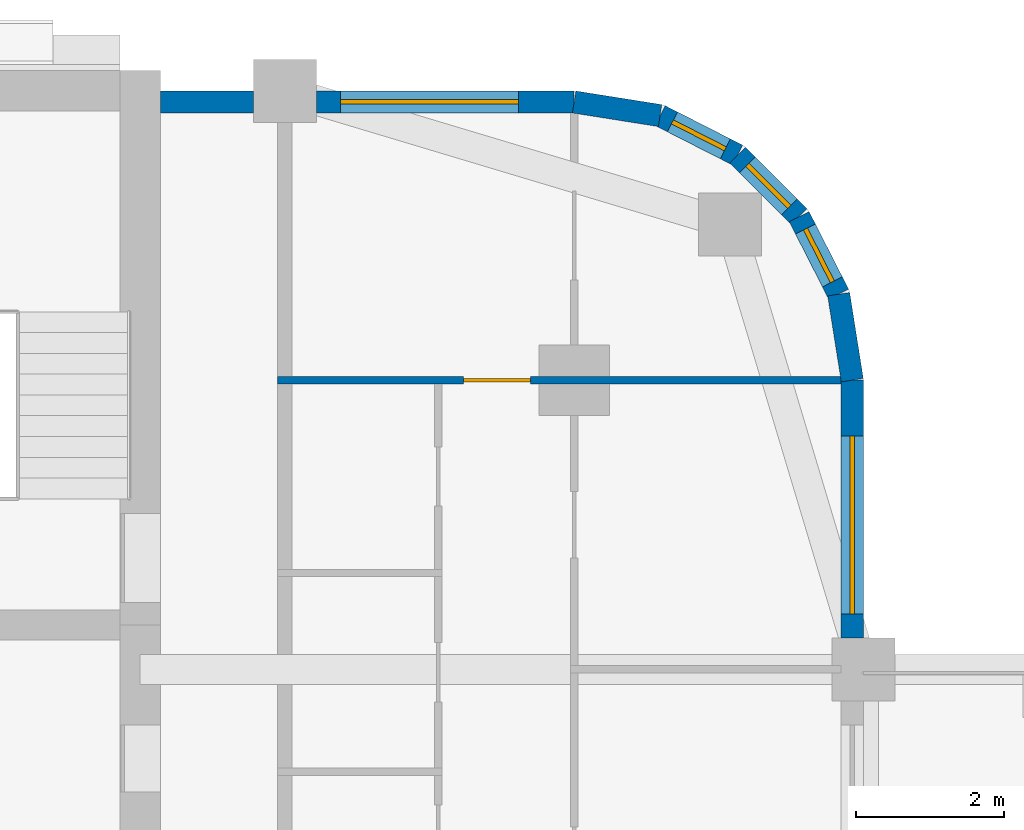
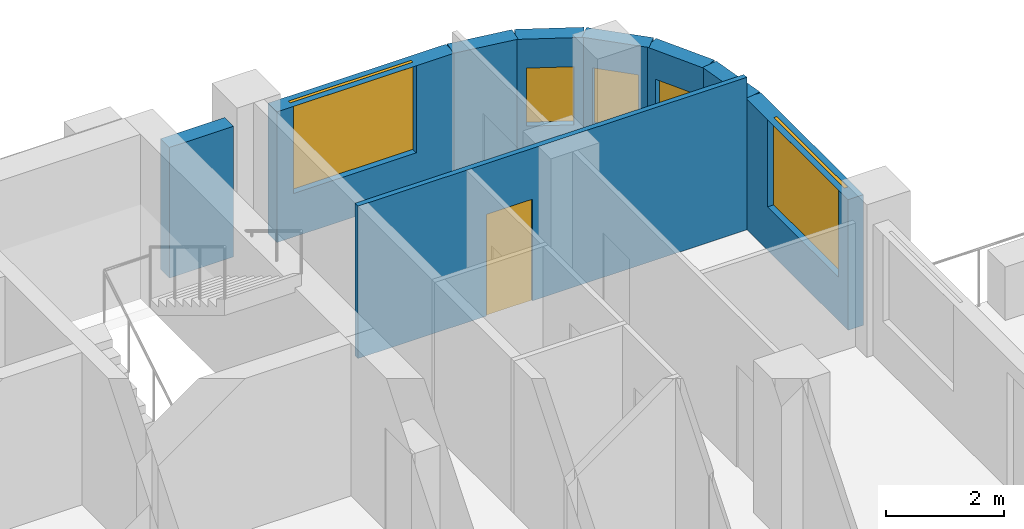
# One storey, part 9 of 13: 9 walls, 5 windows, 1 door, 6 openings.
"""IFC4 building model written with IfcOpenShell, lengths in metres."""

from ifc_helpers import new_model, si_unit, direction, frame, frame_2d, origin, place, context, subcontext, project, spatial, rectangle, extrude, material, layer, layer_set, type_object, element, fill, save


model = new_model("IFC4")

# Units and contexts
model_context = context("Model", 3, precision=1e-05, world=origin(), true_north=direction((0.0, 1.0)))
body_context = subcontext(model_context, "Body", "Model", "MODEL_VIEW")
ifc_project = project(units=[si_unit("LENGTHUNIT", "METRE"), si_unit("AREAUNIT", "SQUARE_METRE"), si_unit("VOLUMEUNIT", "CUBIC_METRE"), si_unit("PLANEANGLEUNIT", "RADIAN"), si_unit("MASSUNIT", "GRAM", prefix="KILO")], contexts=[model_context])

# Site, building, storey
site_placement = place(None, origin())
site = spatial("IfcSite", under=ifc_project, at=site_placement, CompositionType="ELEMENT")
building_placement = place(site_placement, origin())
building = spatial("IfcBuilding", under=site, at=building_placement, Name="Ludao Terraces", CompositionType="ELEMENT")
storey_placement = place(building_placement, frame((0.0, 0.0, 127.10009765625)))
storey = spatial("IfcBuildingStorey", under=building, at=storey_placement, Name="L34", CompositionType="ELEMENT", Elevation=127.10009765625)

# Wall, opening, window
ifc_material_1 = material(Name="Granite cladding", Category="masonry")
ifc_layer_1 = layer(ifc_material_1, 0.0400390625, Category="stone")
ifc_material_2 = material(Name="Mineral wool")
ifc_layer_2 = layer(ifc_material_2, 0.06005859375)
ifc_material_3 = material(Name="Concrete C40", Category="concrete")
ifc_layer_3 = layer(ifc_material_3, 0.199951171875, Category="concrete")
ifc_layer_set_1 = layer_set([ifc_layer_1, ifc_layer_2, ifc_layer_3], Name="ENV Stone-clad wall 300")
wall_type_1 = type_object("IfcWallType", Name="ENV Stone-clad wall 300", PredefinedType="SOLIDWALL", material=ifc_layer_set_1)
wall_1_placement = place(storey_placement, frame((104.35009765625, 77.125, 0.0), z_axis=(0.0, 0.0, 1.0), x_axis=(0.0, 1.0, 0.0)))
wall_1 = element("IfcWall", 1, at=wall_1_placement, inside=storey, type_object=wall_type_1, Name="EW-L34-E5", PredefinedType="SOLIDWALL", context=body_context, shape_type="SweptSolid", body=[
    extrude(rectangle(XDim=3.47509765625, YDim=0.300048828125, at=frame_2d((1.737548828125, 0.0))), origin(), (0.0, 0.0, 1.0), 2.699951171875),
])
opening_1_placement = place(wall_1_placement, frame((0.324951171875, 0.0, 0.89990234375)))
opening_1 = element("IfcOpeningElement", 2, at=opening_1_placement, cuts=wall_1, Name="Opening W1", PredefinedType="OPENING", context=body_context, shape_type="SweptSolid", body=[
    extrude(rectangle(XDim=2.39990234375, YDim=1.800048828125, at=frame_2d((1.199951171875, 0.89990234375))), frame((0.0, 0.16015625, 0.0), z_axis=(0.0, -1.0, 0.0), x_axis=(1.0, 0.0, 0.0)), (0.0, 0.0, 1.0), 0.320068359375),
])
ifc_material_4 = material(Name="Clear glass in aluminium frame", Category="aluminium")
ifc_layer_4 = layer(ifc_material_4, 0.06005859375)
ifc_layer_set_2 = layer_set([ifc_layer_4], Name="ENV Window W1 2400x1800")
window_type_1 = type_object("IfcWindowType", Name="ENV Window W1 2400x1800", PartitioningType="DOUBLE_PANEL_VERTICAL", PredefinedType="WINDOW", material=ifc_layer_set_2)
window_1_placement = place(opening_1_placement, origin())
window_1 = element("IfcWindow", 3, at=window_1_placement, inside=storey, type_object=window_type_1, Name="W-L34-E5-1", OverallHeight=1.800048828125, OverallWidth=2.39990234375, PartitioningType="DOUBLE_PANEL_VERTICAL", PredefinedType="WINDOW", context=body_context, shape_type="SweptSolid", body=[
    extrude(rectangle(XDim=2.39990234375, YDim=1.800048828125, at=frame_2d((1.199951171875, 0.89990234375))), frame((0.0, 0.030029296875, 0.0), z_axis=(0.0, -1.0, 0.0), x_axis=(1.0, 0.0, 0.0)), (0.0, 0.0, 1.0), 0.06005859375),
])
fill(opening_1, window_1)

# Wall
wall_2_placement = place(storey_placement, frame((95.02490234375, 84.35009765625, 0.0), z_axis=(0.0, 0.0, 1.0), x_axis=(1.0, 0.0, 0.0)))
element("IfcWall", 4, at=wall_2_placement, inside=storey, type_object=wall_type_1, Name="EW-L34-N3", PredefinedType="SOLIDWALL", context=body_context, shape_type="SweptSolid", body=[
    extrude(rectangle(XDim=1.25, YDim=0.300048828125, at=frame_2d((0.625, 0.0))), origin(), (0.0, 0.0, 1.0), 2.699951171875),
])

# Wall, opening, window
wall_3_placement = place(storey_placement, frame((97.125, 84.35009765625, 0.0), z_axis=(0.0, 0.0, 1.0), x_axis=(1.0, 0.0, 0.0)))
wall_3 = element("IfcWall", 5, at=wall_3_placement, inside=storey, type_object=wall_type_1, Name="EW-L34-N4", PredefinedType="SOLIDWALL", context=body_context, shape_type="SweptSolid", body=[
    extrude(rectangle(XDim=3.47509765625, YDim=0.300048828125, at=frame_2d((1.737548828125, 0.0))), origin(), (0.0, 0.0, 1.0), 2.699951171875),
])
opening_2_placement = place(wall_3_placement, frame((0.324951171875, 0.0, 0.89990234375)))
opening_2 = element("IfcOpeningElement", 6, at=opening_2_placement, cuts=wall_3, Name="Opening W1", PredefinedType="OPENING", context=body_context, shape_type="SweptSolid", body=[
    extrude(rectangle(XDim=2.39990234375, YDim=1.800048828125, at=frame_2d((1.199951171875, 0.89990234375))), frame((0.0, 0.16015625, 0.0), z_axis=(0.0, -1.0, 0.0), x_axis=(1.0, 0.0, 0.0)), (0.0, 0.0, 1.0), 0.320068359375),
])
window_2_placement = place(opening_2_placement, origin())
window_2 = element("IfcWindow", 7, at=window_2_placement, inside=storey, type_object=window_type_1, Name="W-L34-N4-1", OverallHeight=1.800048828125, OverallWidth=2.39990234375, PartitioningType="DOUBLE_PANEL_VERTICAL", PredefinedType="WINDOW", context=body_context, shape_type="SweptSolid", body=[
    extrude(rectangle(XDim=2.39990234375, YDim=1.800048828125, at=frame_2d((1.199951171875, 0.89990234375))), frame((0.0, 0.030029296875, 0.0), z_axis=(0.0, -1.0, 0.0), x_axis=(1.0, 0.0, 0.0)), (0.0, 0.0, 1.0), 0.06005859375),
])
fill(opening_2, window_2)

# Wall
wall_4_placement = place(storey_placement, frame((104.35009765625, 80.60009765625, 0.0), z_axis=(0.0, 0.0, 1.0), x_axis=(-0.156496880861, 0.987678452879, 0.0)))
element("IfcWall", 8, at=wall_4_placement, inside=storey, type_object=wall_type_1, Name="EW-L34-NE1", PredefinedType="SOLIDWALL", context=body_context, shape_type="SweptSolid", body=[
    extrude(rectangle(XDim=1.173095703125, YDim=0.300048828125, at=frame_2d((0.58642578125, 0.0))), origin(), (0.0, 0.0, 1.0), 2.699951171875),
])

# Wall, opening, window
wall_5_placement = place(storey_placement, frame((104.16650390625, 81.7587890625, 0.0), z_axis=(0.0, 0.0, 1.0), x_axis=(-0.454025524128, 0.890988677504, 0.0)))
wall_5 = element("IfcWall", 9, at=wall_5_placement, inside=storey, type_object=wall_type_1, Name="EW-L34-NE2", PredefinedType="SOLIDWALL", context=body_context, shape_type="SweptSolid", body=[
    extrude(rectangle(XDim=1.17333984375, YDim=0.300048828125, at=frame_2d((0.586669921875, 0.0))), origin(), (0.0, 0.0, 1.0), 2.699951171875),
])
opening_3_placement = place(wall_5_placement, frame((0.1865234375, 0.0, 0.89990234375)))
opening_3 = element("IfcOpeningElement", 10, at=opening_3_placement, cuts=wall_5, Name="Opening W3", PredefinedType="OPENING", context=body_context, shape_type="SweptSolid", body=[
    extrude(rectangle(XDim=0.800048828125, YDim=1.199951171875, at=frame_2d((0.39990234375, 0.60009765625))), frame((0.0, 0.16015625, 0.0), z_axis=(0.0, -1.0, 0.0), x_axis=(1.0, 0.0, 0.0)), (0.0, 0.0, 1.0), 0.320068359375),
])
ifc_layer_5 = layer(ifc_material_4, 0.06005859375)
ifc_layer_set_3 = layer_set([ifc_layer_5], Name="ENV Window W3 800x1200")
window_type_2 = type_object("IfcWindowType", Name="ENV Window W3 800x1200", PartitioningType="SINGLE_PANEL", PredefinedType="WINDOW", material=ifc_layer_set_3)
window_3_placement = place(opening_3_placement, origin())
window_3 = element("IfcWindow", 11, at=window_3_placement, inside=storey, type_object=window_type_2, Name="W-L34-NE2", OverallHeight=1.199951171875, OverallWidth=0.800048828125, PartitioningType="SINGLE_PANEL", PredefinedType="WINDOW", context=body_context, shape_type="SweptSolid", body=[
    extrude(rectangle(XDim=0.800048828125, YDim=1.199951171875, at=frame_2d((0.39990234375, 0.60009765625))), frame((0.0, 0.030029296875, 0.0), z_axis=(0.0, -1.0, 0.0), x_axis=(1.0, 0.0, 0.0)), (0.0, 0.0, 1.0), 0.06005859375),
])
fill(opening_3, window_3)

wall_6_placement = place(storey_placement, frame((103.6337890625, 82.80419921875, 0.0), z_axis=(0.0, 0.0, 1.0), x_axis=(-0.707106781187, 0.707106781187, 0.0)))
wall_6 = element("IfcWall", 12, at=wall_6_placement, inside=storey, type_object=wall_type_1, Name="EW-L34-NE3", PredefinedType="SOLIDWALL", context=body_context, shape_type="SweptSolid", body=[
    extrude(rectangle(XDim=1.173095703125, YDim=0.300048828125, at=frame_2d((0.58642578125, 0.0))), origin(), (0.0, 0.0, 1.0), 2.699951171875),
])
opening_4_placement = place(wall_6_placement, frame((0.1865234375, 0.0, 0.89990234375)))
opening_4 = element("IfcOpeningElement", 13, at=opening_4_placement, cuts=wall_6, Name="Opening W3", PredefinedType="OPENING", context=body_context, shape_type="SweptSolid", body=[
    extrude(rectangle(XDim=0.800048828125, YDim=1.199951171875, at=frame_2d((0.39990234375, 0.60009765625))), frame((0.0, 0.16015625, 0.0), z_axis=(0.0, -1.0, 0.0), x_axis=(1.0, 0.0, 0.0)), (0.0, 0.0, 1.0), 0.320068359375),
])
window_4_placement = place(opening_4_placement, origin())
window_4 = element("IfcWindow", 14, at=window_4_placement, inside=storey, type_object=window_type_2, Name="W-L34-NE3", OverallHeight=1.199951171875, OverallWidth=0.800048828125, PartitioningType="SINGLE_PANEL", PredefinedType="WINDOW", context=body_context, shape_type="SweptSolid", body=[
    extrude(rectangle(XDim=0.800048828125, YDim=1.199951171875, at=frame_2d((0.39990234375, 0.60009765625))), frame((0.0, 0.030029296875, 0.0), z_axis=(0.0, -1.0, 0.0), x_axis=(1.0, 0.0, 0.0)), (0.0, 0.0, 1.0), 0.06005859375),
])
fill(opening_4, window_4)

wall_7_placement = place(storey_placement, frame((102.80419921875, 83.6337890625, 0.0), z_axis=(0.0, 0.0, 1.0), x_axis=(-0.890988677504, 0.454025524128, 0.0)))
wall_7 = element("IfcWall", 15, at=wall_7_placement, inside=storey, type_object=wall_type_1, Name="EW-L34-NE4", PredefinedType="SOLIDWALL", context=body_context, shape_type="SweptSolid", body=[
    extrude(rectangle(XDim=1.17333984375, YDim=0.300048828125, at=frame_2d((0.586669921875, 0.0))), origin(), (0.0, 0.0, 1.0), 2.699951171875),
])
opening_5_placement = place(wall_7_placement, frame((0.1865234375, 0.0, 0.89990234375)))
opening_5 = element("IfcOpeningElement", 16, at=opening_5_placement, cuts=wall_7, Name="Opening W3", PredefinedType="OPENING", context=body_context, shape_type="SweptSolid", body=[
    extrude(rectangle(XDim=0.800048828125, YDim=1.199951171875, at=frame_2d((0.39990234375, 0.60009765625))), frame((0.0, 0.16015625, 0.0), z_axis=(0.0, -1.0, 0.0), x_axis=(1.0, 0.0, 0.0)), (0.0, 0.0, 1.0), 0.320068359375),
])
window_5_placement = place(opening_5_placement, origin())
window_5 = element("IfcWindow", 17, at=window_5_placement, inside=storey, type_object=window_type_2, Name="W-L34-NE4", OverallHeight=1.199951171875, OverallWidth=0.800048828125, PartitioningType="SINGLE_PANEL", PredefinedType="WINDOW", context=body_context, shape_type="SweptSolid", body=[
    extrude(rectangle(XDim=0.800048828125, YDim=1.199951171875, at=frame_2d((0.39990234375, 0.60009765625))), frame((0.0, 0.030029296875, 0.0), z_axis=(0.0, -1.0, 0.0), x_axis=(1.0, 0.0, 0.0)), (0.0, 0.0, 1.0), 0.06005859375),
])
fill(opening_5, window_5)

# Wall
wall_8_placement = place(storey_placement, frame((101.7587890625, 84.16650390625, 0.0), z_axis=(0.0, 0.0, 1.0), x_axis=(-0.987678452879, 0.156496880861, 0.0)))
element("IfcWall", 18, at=wall_8_placement, inside=storey, type_object=wall_type_1, Name="EW-L34-NE5", PredefinedType="SOLIDWALL", context=body_context, shape_type="SweptSolid", body=[
    extrude(rectangle(XDim=1.173095703125, YDim=0.300048828125, at=frame_2d((0.58642578125, 0.0))), origin(), (0.0, 0.0, 1.0), 2.699951171875),
])

# Wall, opening, door
ifc_material_5 = material(Name="Gypsum plasterboard", Category="gypsum")
ifc_layer_6 = layer(ifc_material_5, 0.012451171875, Category="gypsum")
ifc_layer_7 = layer(ifc_material_2, 0.06005859375, Name="insulation")
ifc_material_6 = material(Name="Steel Q235", Category="steel")
ifc_layer_8 = layer(ifc_material_6, 0.014892578125, Name="stud")
ifc_layer_9 = layer(ifc_material_5, 0.012451171875, Category="gypsum")
ifc_layer_set_4 = layer_set([ifc_layer_6, ifc_layer_7, ifc_layer_8, ifc_layer_9], Name="INT Partition 100")
wall_type_2 = type_object("IfcWallType", Name="INT Partition 100", PredefinedType="PARTITIONING", material=ifc_layer_set_4)
wall_9_placement = place(storey_placement, frame((96.60009765625, 80.60009765625, 0.0), z_axis=(0.0, 0.0, 1.0), x_axis=(1.0, 0.0, 0.0)))
wall_9 = element("IfcWall", 19, at=wall_9_placement, inside=storey, type_object=wall_type_2, Name="PW-L34-PW045", PredefinedType="PARTITIONING", context=body_context, shape_type="SweptSolid", body=[
    extrude(rectangle(XDim=7.60009765625, YDim=0.10009765625, at=frame_2d((3.800048828125, 0.0))), origin(), (0.0, 0.0, 1.0), 3.14990234375),
])
opening_6_placement = place(wall_9_placement, frame((2.510009765625, 0.0, 0.0)))
opening_6 = element("IfcOpeningElement", 20, at=opening_6_placement, cuts=wall_9, Name="Opening R10-090", PredefinedType="OPENING", context=body_context, shape_type="SweptSolid", body=[
    extrude(rectangle(XDim=0.89990234375, YDim=2.10009765625, at=frame_2d((0.449951171875, 1.050048828125))), frame((0.0, 0.06005859375, 0.0), z_axis=(0.0, -1.0, 0.0), x_axis=(1.0, 0.0, 0.0)), (0.0, 0.0, 1.0), 0.1201171875),
])
ifc_material_7 = material(Name="Timber door leaf", Category="wood")
door_type = type_object("IfcDoorType", Name="INT Room door 900", OperationType="SINGLE_SWING_LEFT", PredefinedType="DOOR", material=ifc_material_7)
door_placement = place(opening_6_placement, origin())
door = element("IfcDoor", 21, at=door_placement, inside=storey, type_object=door_type, Name="DOOR 090", OperationType="SINGLE_SWING_RIGHT", OverallHeight=2.10009765625, OverallWidth=0.89990234375, PredefinedType="DOOR", context=body_context, shape_type="SweptSolid", body=[
    extrude(rectangle(XDim=0.89990234375, YDim=2.10009765625, at=frame_2d((0.449951171875, 1.050048828125))), frame((0.0, 0.02490234375, 0.0), z_axis=(0.0, -1.0, 0.0), x_axis=(1.0, 0.0, 0.0)), (0.0, 0.0, 1.0), 0.050048828125),
])
fill(opening_6, door)

save(model, "model.ifc")
